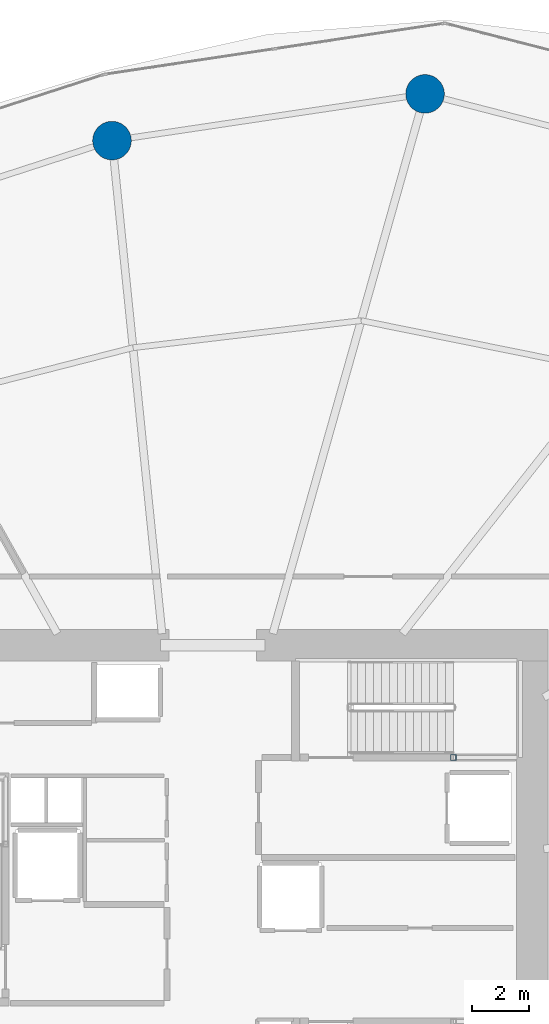
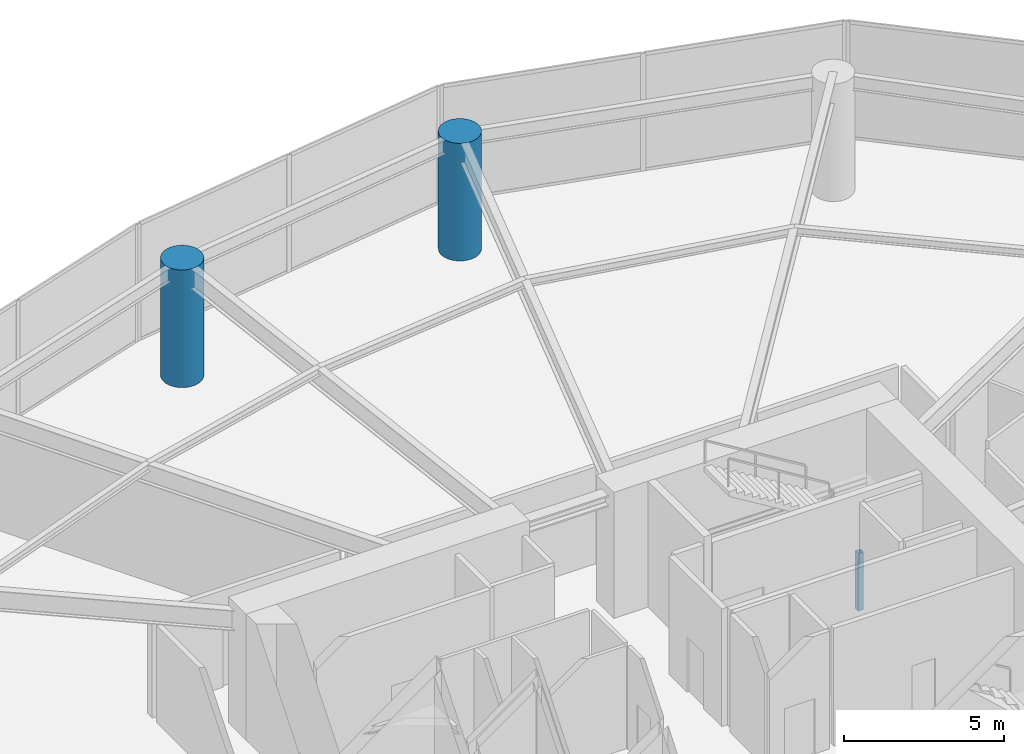
# One storey, part 5 of 22: 3 columns.
"""IFC4 building model written with IfcOpenShell, lengths in metres."""

from ifc_helpers import new_model, si_unit, direction, frame, origin, origin_2d, place, context, subcontext, project, spatial, hollow_rectangle, circle, extrude, material, material_profile, profile_set, type_object, element, save


model = new_model("IFC4")

# Units and contexts
model_context = context("Model", 3, precision=1e-05, world=origin(), true_north=direction((0.0, 1.0)))
body_context = subcontext(model_context, "Body", "Model", "MODEL_VIEW")
ifc_project = project(units=[si_unit("LENGTHUNIT", "METRE"), si_unit("AREAUNIT", "SQUARE_METRE"), si_unit("VOLUMEUNIT", "CUBIC_METRE"), si_unit("PLANEANGLEUNIT", "RADIAN"), si_unit("MASSUNIT", "GRAM", prefix="KILO")], contexts=[model_context])

# Site, building, storey
site_placement = place(None, origin())
site = spatial("IfcSite", under=ifc_project, at=site_placement, CompositionType="ELEMENT")
building_placement = place(site_placement, origin())
building = spatial("IfcBuilding", under=site, at=building_placement, Name="Kazma Halo Residences", CompositionType="ELEMENT")
storey_placement = place(building_placement, frame((0.0, 0.0, 12.0)))
storey = spatial("IfcBuildingStorey", under=building, at=storey_placement, Name="L02", CompositionType="ELEMENT", Elevation=12.0)

# Columns
ifc_material_1 = material(Name="Steel S355", Category="steel")
ifc_material_profile_1 = material_profile(ifc_material_1, hollow_rectangle(XDim=0.199951171875, YDim=0.199951171875, WallThickness=0.010009765625, InnerFilletRadius=0.010009765625, OuterFilletRadius=0.02001953125, at=origin_2d()), Name="SHS200x200x10")
ifc_profile_set_1 = profile_set([ifc_material_profile_1], Name="Steel S355")
column_type_1 = type_object("IfcColumnType", Name="COL-LP-SHS200", PredefinedType="COLUMN", material=ifc_profile_set_1)
column_placement = place(storey_placement, frame((56.840087890625, 46.6201171875, 0.0), z_axis=(0.0, 0.0, 1.0), x_axis=(1.0, 0.0, 0.0)))
element("IfcColumn", 1, at=column_placement, inside=storey, type_object=column_type_1, Name="L02 ST-02 landing pilaster 1", PredefinedType="COLUMN", context=body_context, shape_type="SweptSolid", body=[
    extrude(hollow_rectangle(XDim=0.199951171875, YDim=0.199951171875, WallThickness=0.010009765625, InnerFilletRadius=0.010009765625, OuterFilletRadius=0.02001953125, at=origin_2d()), origin(), (0.0, 0.0, 1.0), 2.195068359375),
])
ifc_material_2 = material(Name="Concrete C80/95", Category="concrete")
ifc_material_profile_2 = material_profile(ifc_material_2, circle(Radius=0.675048828125, at=origin_2d()), Name="CIRC1350")
ifc_profile_set_2 = profile_set([ifc_material_profile_2], Name="Concrete C80/95")
column_type_2 = type_object("IfcColumnType", Name="COL-PERIM-1350", PredefinedType="COLUMN", material=ifc_profile_set_2)
for number, where, z_axis, x_axis, name in (
    (2, (55.84912109375, 69.831298828125, 0.0), (0.0, 0.0, 1.0), (1.0, 0.0, 0.0), "L02 perimeter ring column P03"),
    (3, (44.8994140625, 68.196044921875, 0.0), (0.0, 0.0, 1.0), (1.0, 0.0, 0.0), "L02 perimeter ring column P04"),
):
    element("IfcColumn", number, at=place(storey_placement, frame(where, z_axis=z_axis, x_axis=x_axis)), inside=storey, type_object=column_type_2, Name=name, PredefinedType="COLUMN", context=body_context, shape_type="SweptSolid", body=[
        extrude(circle(Radius=0.675048828125, at=origin_2d()), origin(), (0.0, 0.0, 1.0), 4.47998046875),
    ])

save(model, "model.ifc")
